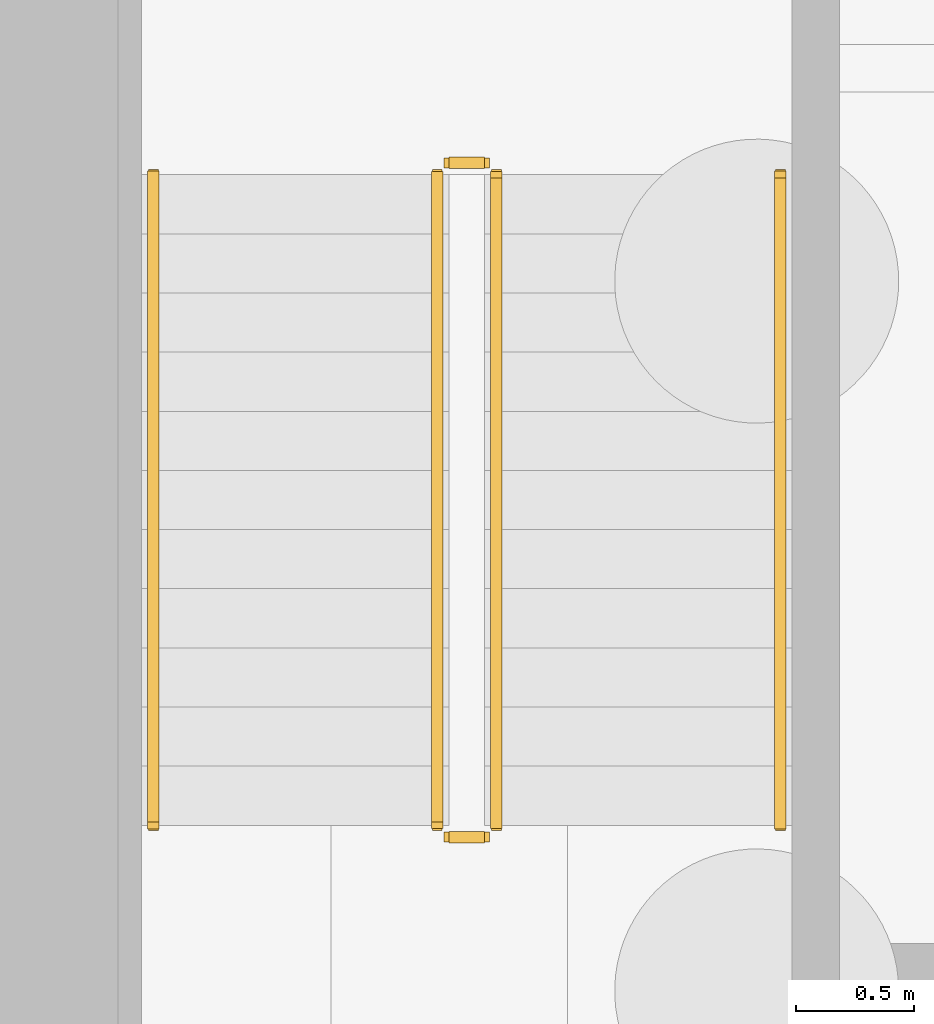
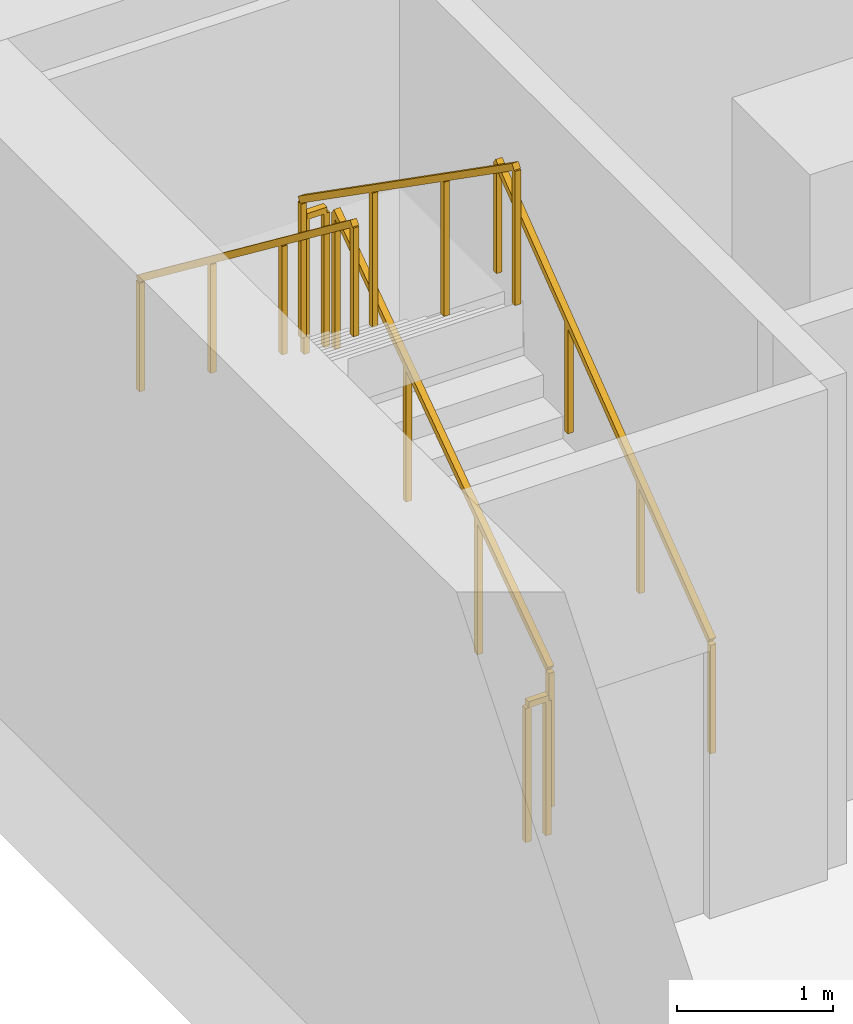
# One storey, part 18 of 21: 6 railings.
"""IFC4 building model written with IfcOpenShell, lengths in metres."""

from ifc_helpers import new_model, si_unit, direction, frame, origin, origin_2d, place, context, subcontext, project, spatial, rectangle, extrude, material, type_object, element, save


model = new_model("IFC4")

# Units and contexts
model_context = context("Model", 3, precision=1e-05, world=origin(), true_north=direction((0.0, 1.0)))
body_context = subcontext(model_context, "Body", "Model", "MODEL_VIEW")
ifc_project = project(units=[si_unit("LENGTHUNIT", "METRE"), si_unit("AREAUNIT", "SQUARE_METRE"), si_unit("VOLUMEUNIT", "CUBIC_METRE"), si_unit("PLANEANGLEUNIT", "RADIAN"), si_unit("MASSUNIT", "GRAM", prefix="KILO")], contexts=[model_context])

# Site, building, storey
site_placement = place(None, origin())
site = spatial("IfcSite", under=ifc_project, at=site_placement, CompositionType="ELEMENT")
building_placement = place(site_placement, origin())
building = spatial("IfcBuilding", under=site, at=building_placement, Name="Beryl Residences", CompositionType="ELEMENT")
storey_placement = place(building_placement, frame((0.0, 0.0, -8.39990234375)))
storey = spatial("IfcBuildingStorey", under=building, at=storey_placement, Name="B2", CompositionType="ELEMENT", Elevation=-8.39990234375)

# Railings
ifc_material_1 = material(Name="Stainless steel balustrade with glass infill", Category="steel")
railing_type_1 = type_object("IfcRailingType", Name="SG1 stair guard 1100 mm", PredefinedType="GUARDRAIL", material=ifc_material_1)
railing_1_placement = place(storey_placement, frame((-45.800048828125, 35.199951171875, 0.1748046875)))
element("IfcRailing", 1, at=railing_1_placement, inside=storey, type_object=railing_type_1, Name="B2 BS-1 stair guard 1", PredefinedType="GUARDRAIL", context=body_context, shape_type="SweptSolid", body=[
    extrude(rectangle(XDim=0.048095703125, YDim=0.048095703125, at=origin_2d()), frame((0.0, 0.0, 1.076171875), z_axis=(0.0, 0.819225086817, 0.573472106672), x_axis=(-1.0, 0.0, 0.0)), (0.0, 0.0, 1.0), 3.35693359375),
    extrude(rectangle(XDim=0.0419921875, YDim=0.0419921875, at=origin_2d()), origin(), (0.0, 0.0, 1.0), 1.052001953125),
    extrude(rectangle(XDim=0.0419921875, YDim=0.0419921875, at=origin_2d()), frame((0.0, 0.916748046875, 0.6416015625)), (0.0, 0.0, 1.0), 1.052001953125),
    extrude(rectangle(XDim=0.0419921875, YDim=0.0419921875, at=origin_2d()), frame((0.0, 1.833251953125, 1.283447265625)), (0.0, 0.0, 1.0), 1.052001953125),
    extrude(rectangle(XDim=0.0419921875, YDim=0.0419921875, at=origin_2d()), frame((0.0, 2.75, 1.925048828125)), (0.0, 0.0, 1.0), 1.052001953125),
])
railing_2_placement = place(storey_placement, frame((-45.85009765625, 38.0, 2.099853515625)))
element("IfcRailing", 2, at=railing_2_placement, inside=storey, type_object=railing_type_1, Name="B2 BS-1 stair guard 2", PredefinedType="GUARDRAIL", context=body_context, shape_type="SweptSolid", body=[
    extrude(rectangle(XDim=0.048095703125, YDim=0.048095703125, at=origin_2d()), frame((0.0, 0.0, 1.076171875), z_axis=(-1.0, 0.0, 0.0), x_axis=(0.0, -1.0, 0.0)), (0.0, 0.0, 1.0), 0.14990234375),
    extrude(rectangle(XDim=0.0419921875, YDim=0.0419921875, at=origin_2d()), origin(), (0.0, 0.0, 1.0), 1.052001953125),
    extrude(rectangle(XDim=0.0419921875, YDim=0.0419921875, at=origin_2d()), frame((-0.14990234375, 0.0, 0.0)), (0.0, 0.0, 1.0), 1.052001953125),
])
railing_3_placement = place(storey_placement, frame((-46.050048828125, 37.949951171875, 2.27490234375)))
element("IfcRailing", 3, at=railing_3_placement, inside=storey, type_object=railing_type_1, Name="B2 BS-1 stair guard 3", PredefinedType="GUARDRAIL", context=body_context, shape_type="SweptSolid", body=[
    extrude(rectangle(XDim=0.048095703125, YDim=0.048095703125, at=origin_2d()), frame((0.0, 0.0, 1.076171875), z_axis=(0.0, -0.819225086817, 0.573472106672), x_axis=(1.0, 0.0, 0.0)), (0.0, 0.0, 1.0), 3.35693359375),
    extrude(rectangle(XDim=0.0419921875, YDim=0.0419921875, at=origin_2d()), origin(), (0.0, 0.0, 1.0), 1.052001953125),
    extrude(rectangle(XDim=0.0419921875, YDim=0.0419921875, at=origin_2d()), frame((0.0, -0.916748046875, 0.6416015625)), (0.0, 0.0, 1.0), 1.052001953125),
    extrude(rectangle(XDim=0.0419921875, YDim=0.0419921875, at=origin_2d()), frame((0.0, -1.833251953125, 1.283447265625)), (0.0, 0.0, 1.0), 1.052001953125),
    extrude(rectangle(XDim=0.0419921875, YDim=0.0419921875, at=origin_2d()), frame((0.0, -2.75, 1.925048828125)), (0.0, 0.0, 1.0), 1.052001953125),
])
railing_4_placement = place(storey_placement, frame((-45.85009765625, 35.14990234375, 0.0)))
element("IfcRailing", 4, at=railing_4_placement, inside=storey, type_object=railing_type_1, Name="B2 BS-1 stair guard 4", PredefinedType="GUARDRAIL", context=body_context, shape_type="SweptSolid", body=[
    extrude(rectangle(XDim=0.048095703125, YDim=0.048095703125, at=origin_2d()), frame((0.0, 0.0, 1.076171875), z_axis=(-1.0, 0.0, 0.0), x_axis=(0.0, -1.0, 0.0)), (0.0, 0.0, 1.0), 0.14990234375),
    extrude(rectangle(XDim=0.0419921875, YDim=0.0419921875, at=origin_2d()), origin(), (0.0, 0.0, 1.0), 1.052001953125),
    extrude(rectangle(XDim=0.0419921875, YDim=0.0419921875, at=origin_2d()), frame((-0.14990234375, 0.0, 0.0)), (0.0, 0.0, 1.0), 1.052001953125),
])
ifc_material_2 = material(Name="Stainless steel handrail", Category="steel")
railing_type_2 = type_object("IfcRailingType", Name="SRL1 stair handrail 900 mm", PredefinedType="HANDRAIL", material=ifc_material_2)
railing_5_placement = place(storey_placement, frame((-44.60009765625, 35.199951171875, 0.1748046875)))
element("IfcRailing", 5, at=railing_5_placement, inside=storey, type_object=railing_type_2, Name="B2 BS-1 stair handrail 1", PredefinedType="HANDRAIL", context=body_context, shape_type="SweptSolid", body=[
    extrude(rectangle(XDim=0.048095703125, YDim=0.048095703125, at=origin_2d()), frame((0.0, 0.0, 0.8759765625), z_axis=(0.0, 0.794754200304, 0.60693143031), x_axis=(-1.0, 0.0, 0.0)), (0.0, 0.0, 1.0), 3.460205078125),
    extrude(rectangle(XDim=0.0419921875, YDim=0.0419921875, at=origin_2d()), origin(), (0.0, 0.0, 1.0), 0.851806640625),
    extrude(rectangle(XDim=0.0419921875, YDim=0.0419921875, at=origin_2d()), frame((0.0, 0.916748046875, 0.699951171875)), (0.0, 0.0, 1.0), 0.851806640625),
    extrude(rectangle(XDim=0.0419921875, YDim=0.0419921875, at=origin_2d()), frame((0.0, 1.833251953125, 1.400146484375)), (0.0, 0.0, 1.0), 0.851806640625),
    extrude(rectangle(XDim=0.0419921875, YDim=0.0419921875, at=origin_2d()), frame((0.0, 2.75, 2.10009765625)), (0.0, 0.0, 1.0), 0.851806640625),
])
railing_6_placement = place(storey_placement, frame((-47.25, 37.949951171875, 2.27490234375)))
element("IfcRailing", 6, at=railing_6_placement, inside=storey, type_object=railing_type_2, Name="B2 BS-1 stair handrail 2", PredefinedType="HANDRAIL", context=body_context, shape_type="SweptSolid", body=[
    extrude(rectangle(XDim=0.048095703125, YDim=0.048095703125, at=origin_2d()), frame((0.0, 0.0, 0.8759765625), z_axis=(0.0, -0.794754200304, 0.60693143031), x_axis=(1.0, 0.0, 0.0)), (0.0, 0.0, 1.0), 3.460205078125),
    extrude(rectangle(XDim=0.0419921875, YDim=0.0419921875, at=origin_2d()), origin(), (0.0, 0.0, 1.0), 0.851806640625),
    extrude(rectangle(XDim=0.0419921875, YDim=0.0419921875, at=origin_2d()), frame((0.0, -0.916748046875, 0.699951171875)), (0.0, 0.0, 1.0), 0.851806640625),
    extrude(rectangle(XDim=0.0419921875, YDim=0.0419921875, at=origin_2d()), frame((0.0, -1.833251953125, 1.400146484375)), (0.0, 0.0, 1.0), 0.851806640625),
    extrude(rectangle(XDim=0.0419921875, YDim=0.0419921875, at=origin_2d()), frame((0.0, -2.75, 2.10009765625)), (0.0, 0.0, 1.0), 0.851806640625),
])

save(model, "model.ifc")
